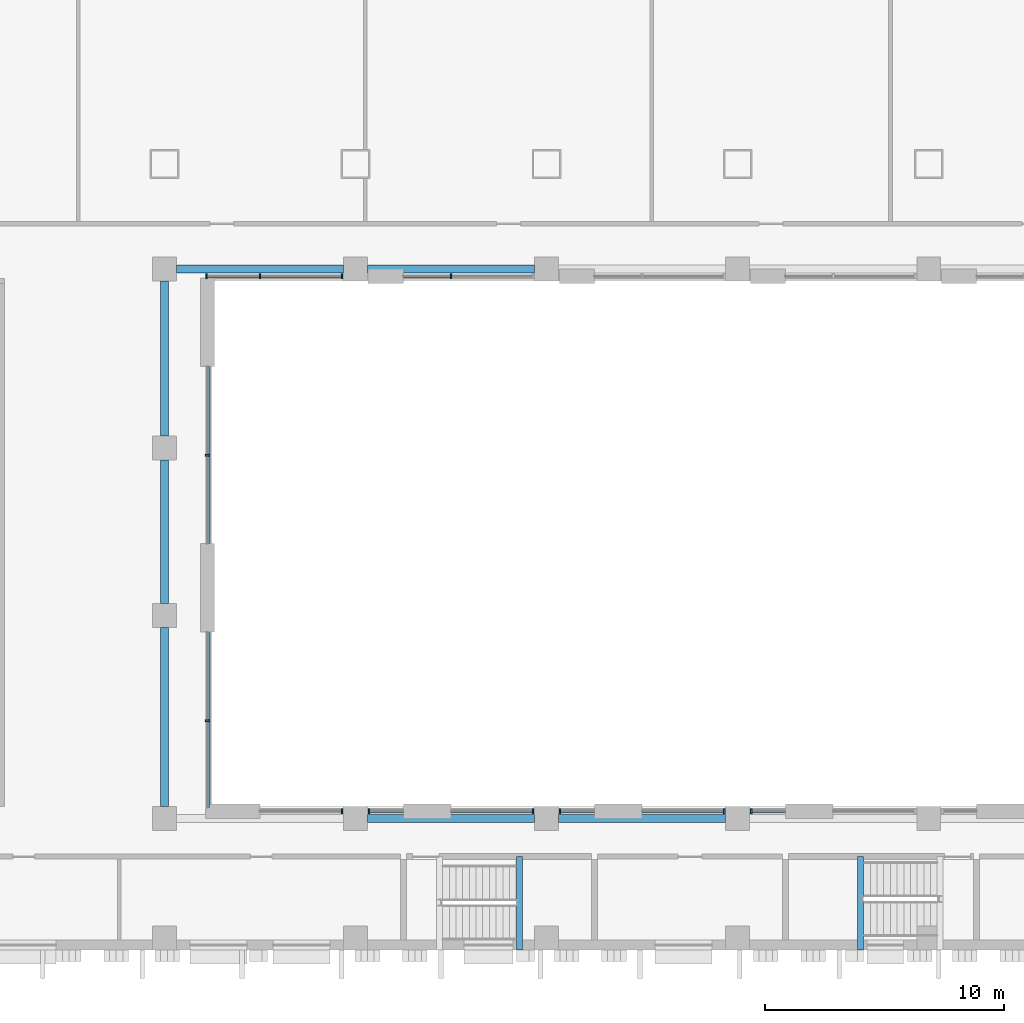
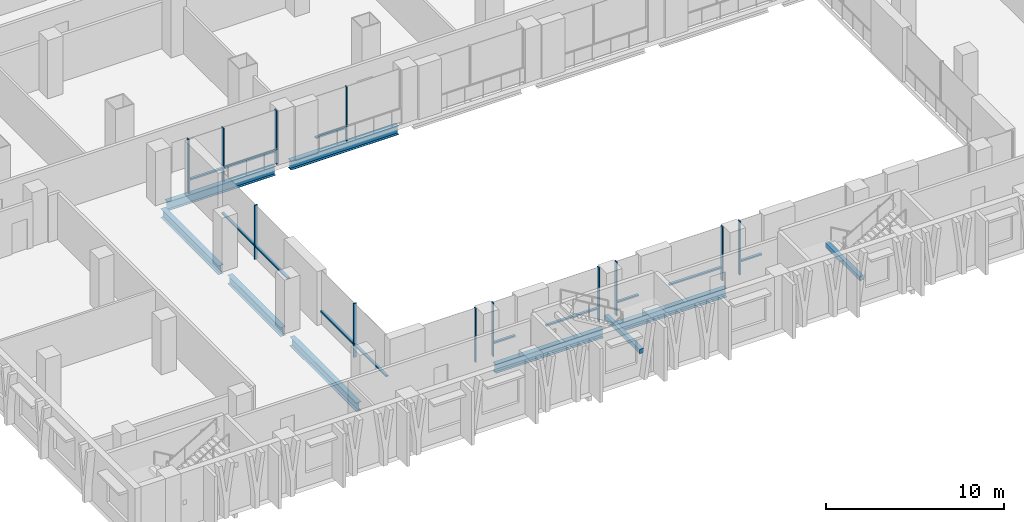
# One storey, part 2 of 24: 24 members, 9 beams, 10 elements without a shape of their own.
"""IFC4 building model written with IfcOpenShell, lengths in metres."""

from ifc_helpers import new_model, si_unit, direction, frame, origin, origin_2d, place, context, subcontext, project, spatial, rectangle, i_section, extrude, material, material_profile, profile_set, type_object, element, aggregate, save


model = new_model("IFC4")

# Units and contexts
model_context = context("Model", 3, precision=1e-05, world=origin(), true_north=direction((0.0, 1.0)))
body_context = subcontext(model_context, "Body", "Model", "MODEL_VIEW")
ifc_project = project(units=[si_unit("LENGTHUNIT", "METRE"), si_unit("AREAUNIT", "SQUARE_METRE"), si_unit("VOLUMEUNIT", "CUBIC_METRE"), si_unit("PLANEANGLEUNIT", "RADIAN"), si_unit("MASSUNIT", "GRAM", prefix="KILO")], contexts=[model_context])

# Site, building, storey
site_placement = place(None, origin())
site = spatial("IfcSite", under=ifc_project, at=site_placement, CompositionType="ELEMENT")
building_placement = place(site_placement, origin())
building = spatial("IfcBuilding", under=site, at=building_placement, Name="Vidyagriha Tower", CompositionType="ELEMENT")
storey_placement = place(building_placement, frame((0.0, 0.0, 22.0)))
storey = spatial("IfcBuildingStorey", under=building, at=storey_placement, Name="L05", CompositionType="ELEMENT", Elevation=22.0)

# Beams
ifc_material_1 = material(Name="Steel ASTM A992 Grade 50", Category="steel")
ifc_material_profile_1 = material_profile(ifc_material_1, i_section(OverallWidth=0.32373046875, OverallDepth=0.612060546875, WebThickness=0.0126953125, FlangeThickness=0.01904296875, at=origin_2d()), Name="W24X104")
ifc_profile_set_1 = profile_set([ifc_material_profile_1], Name="Steel ASTM A992 Grade 50")
beam_type_1 = type_object("IfcBeamType", Name="Atrium edge beam W24X104", PredefinedType="BEAM", material=ifc_profile_set_1)
for number, where, z_axis, x_axis, name in (
    (1, (-13.5, -44.5, -0.60595703125), (1.0, 0.0, 0.0), (0.0, 1.0, 0.0), "st-beam-L05-AT02"),
    (2, (-5.5, -44.5, -0.60595703125), (1.0, 0.0, 0.0), (0.0, 1.0, 0.0), "st-beam-L05-AT03"),
    (3, (-21.5, -21.5, -0.60595703125), (1.0, 0.0, 0.0), (0.0, 1.0, 0.0), "st-beam-L05-AT07"),
    (4, (-13.5, -21.5, -0.60595703125), (1.0, 0.0, 0.0), (0.0, 1.0, 0.0), "st-beam-L05-AT08"),
):
    element("IfcBeam", number, at=place(storey_placement, frame(where, z_axis=z_axis, x_axis=x_axis)), inside=storey, type_object=beam_type_1, Name=name, PredefinedType="BEAM", context=body_context, shape_type="SweptSolid", body=[
        extrude(i_section(OverallWidth=0.32373046875, OverallDepth=0.612060546875, WebThickness=0.0126953125, FlangeThickness=0.01904296875, at=origin_2d()), origin(), (0.0, 0.0, 1.0), 7.0),
    ])
beam_1_placement = place(storey_placement, frame((-22.0, -44.0, -0.60595703125), z_axis=(0.0, 1.0, 0.0), x_axis=(-1.0, 0.0, 0.0)))
element("IfcBeam", 5, at=beam_1_placement, inside=storey, type_object=beam_type_1, Name="st-beam-L05-AT13", PredefinedType="BEAM", context=body_context, shape_type="SweptSolid", body=[
    extrude(i_section(OverallWidth=0.32373046875, OverallDepth=0.612060546875, WebThickness=0.0126953125, FlangeThickness=0.01904296875, at=origin_2d()), origin(), (0.0, 0.0, 1.0), 7.5),
])
beam_2_placement = place(storey_placement, frame((-22.0, -35.5, -0.60595703125), z_axis=(0.0, 1.0, 0.0), x_axis=(-1.0, 0.0, 0.0)))
element("IfcBeam", 6, at=beam_2_placement, inside=storey, type_object=beam_type_1, Name="st-beam-L05-AT14", PredefinedType="BEAM", context=body_context, shape_type="SweptSolid", body=[
    extrude(i_section(OverallWidth=0.32373046875, OverallDepth=0.612060546875, WebThickness=0.0126953125, FlangeThickness=0.01904296875, at=origin_2d()), origin(), (0.0, 0.0, 1.0), 6.0),
])
beam_3_placement = place(storey_placement, frame((-22.0, -28.5, -0.60595703125), z_axis=(0.0, 1.0, 0.0), x_axis=(-1.0, 0.0, 0.0)))
element("IfcBeam", 7, at=beam_3_placement, inside=storey, type_object=beam_type_1, Name="st-beam-L05-AT15", PredefinedType="BEAM", context=body_context, shape_type="SweptSolid", body=[
    extrude(i_section(OverallWidth=0.32373046875, OverallDepth=0.612060546875, WebThickness=0.0126953125, FlangeThickness=0.01904296875, at=origin_2d()), origin(), (0.0, 0.0, 1.0), 6.5),
])

# Curtain wall, member
ifc_material_2 = material(Name="Aluminium and glass curtain wall", Category="aluminium")
curtain_wall_type = type_object("IfcCurtainWallType", Name="Atrium screen curtain wall", PredefinedType="USERDEFINED", material=ifc_material_2)
curtain_wall_1_placement = place(storey_placement, origin())
curtain_wall_1 = element("IfcCurtainWall", 8, at=curtain_wall_1_placement, inside=storey, type_object=curtain_wall_type, Name="CW6 atrium screen", ObjectType="UNITISED", PredefinedType="USERDEFINED")
ifc_material_3 = material(Name="Aluminium black anodised", Category="aluminium")
ifc_material_profile_2 = material_profile(ifc_material_3, rectangle(XDim=0.199951171875, YDim=0.070068359375, at=origin_2d()), Name="Mullion 70x200 black aluminium")
ifc_profile_set_2 = profile_set([ifc_material_profile_2], Name="Aluminium black anodised")
member_type_1 = type_object("IfcMemberType", Name="Mullion 70x200 black aluminium", PredefinedType="MULLION", material=ifc_profile_set_2)
member_1_placement = place(storey_placement, frame((2.56494140625, -44.199951171875, 0.0), z_axis=(0.0, 0.0, 1.0), x_axis=(0.0, -1.0, 0.0)))
member_1 = element("IfcMember", 9, at=member_1_placement, type_object=member_type_1, Name="CW6 mullion 2", PredefinedType="MULLION", context=body_context, shape_type="SweptSolid", body=[
    extrude(rectangle(XDim=0.199951171875, YDim=0.070068359375, at=origin_2d()), origin(), (0.0, 0.0, 1.0), 3.699951171875),
])

curtain_wall_2_placement = place(storey_placement, origin())
curtain_wall_2 = element("IfcCurtainWall", 10, at=curtain_wall_2_placement, inside=storey, type_object=curtain_wall_type, Name="CW6 atrium screen", ObjectType="UNITISED", PredefinedType="USERDEFINED")
member_2_placement = place(storey_placement, frame((1.43505859375, -44.199951171875, 0.0), z_axis=(0.0, 0.0, 1.0), x_axis=(0.0, -1.0, 0.0)))
member_2 = element("IfcMember", 11, at=member_2_placement, type_object=member_type_1, Name="CW6 mullion 1", PredefinedType="MULLION", context=body_context, shape_type="SweptSolid", body=[
    extrude(rectangle(XDim=0.199951171875, YDim=0.070068359375, at=origin_2d()), origin(), (0.0, 0.0, 1.0), 3.699951171875),
])

curtain_wall_3_placement = place(storey_placement, origin())
curtain_wall_3 = element("IfcCurtainWall", 12, at=curtain_wall_3_placement, inside=storey, type_object=curtain_wall_type, Name="CW6 atrium screen", ObjectType="UNITISED", PredefinedType="USERDEFINED")
member_3_placement = place(storey_placement, frame((-5.43505859375, -44.199951171875, 0.0), z_axis=(0.0, 0.0, 1.0), x_axis=(0.0, -1.0, 0.0)))
member_3 = element("IfcMember", 13, at=member_3_placement, type_object=member_type_1, Name="CW6 mullion 2", PredefinedType="MULLION", context=body_context, shape_type="SweptSolid", body=[
    extrude(rectangle(XDim=0.199951171875, YDim=0.070068359375, at=origin_2d()), origin(), (0.0, 0.0, 1.0), 3.699951171875),
])

curtain_wall_4_placement = place(storey_placement, origin())
curtain_wall_4 = element("IfcCurtainWall", 14, at=curtain_wall_4_placement, inside=storey, type_object=curtain_wall_type, Name="CW6 atrium screen", ObjectType="UNITISED", PredefinedType="USERDEFINED")
member_4_placement = place(storey_placement, frame((-6.56494140625, -44.199951171875, 0.0), z_axis=(0.0, 0.0, 1.0), x_axis=(0.0, -1.0, 0.0)))
member_4 = element("IfcMember", 15, at=member_4_placement, type_object=member_type_1, Name="CW6 mullion 1", PredefinedType="MULLION", context=body_context, shape_type="SweptSolid", body=[
    extrude(rectangle(XDim=0.199951171875, YDim=0.070068359375, at=origin_2d()), origin(), (0.0, 0.0, 1.0), 3.699951171875),
])

curtain_wall_5_placement = place(storey_placement, origin())
curtain_wall_5 = element("IfcCurtainWall", 16, at=curtain_wall_5_placement, inside=storey, type_object=curtain_wall_type, Name="CW6 atrium screen", ObjectType="UNITISED", PredefinedType="USERDEFINED")
member_5_placement = place(storey_placement, frame((-13.43505859375, -44.199951171875, 0.0), z_axis=(0.0, 0.0, 1.0), x_axis=(0.0, -1.0, 0.0)))
member_5 = element("IfcMember", 17, at=member_5_placement, type_object=member_type_1, Name="CW6 mullion 2", PredefinedType="MULLION", context=body_context, shape_type="SweptSolid", body=[
    extrude(rectangle(XDim=0.199951171875, YDim=0.070068359375, at=origin_2d()), origin(), (0.0, 0.0, 1.0), 3.699951171875),
])

curtain_wall_6_placement = place(storey_placement, origin())
curtain_wall_6 = element("IfcCurtainWall", 18, at=curtain_wall_6_placement, inside=storey, type_object=curtain_wall_type, Name="CW6 atrium screen", ObjectType="UNITISED", PredefinedType="USERDEFINED")
member_6_placement = place(storey_placement, frame((-14.56494140625, -44.199951171875, 0.0), z_axis=(0.0, 0.0, 1.0), x_axis=(0.0, -1.0, 0.0)))
member_6 = element("IfcMember", 19, at=member_6_placement, type_object=member_type_1, Name="CW6 mullion 1", PredefinedType="MULLION", context=body_context, shape_type="SweptSolid", body=[
    extrude(rectangle(XDim=0.199951171875, YDim=0.070068359375, at=origin_2d()), origin(), (0.0, 0.0, 1.0), 3.699951171875),
])
aggregate(curtain_wall_6, [member_6])

curtain_wall_7_placement = place(storey_placement, origin())
curtain_wall_7 = element("IfcCurtainWall", 20, at=curtain_wall_7_placement, inside=storey, type_object=curtain_wall_type, Name="CW6 atrium screen", ObjectType="UNITISED", PredefinedType="USERDEFINED")
member_7_placement = place(storey_placement, frame((-20.199951171875, -40.413330078125, 0.0), z_axis=(0.0, 0.0, 1.0), x_axis=(-1.0, 0.0, 0.0)))
member_7 = element("IfcMember", 21, at=member_7_placement, type_object=member_type_1, Name="CW6 mullion 2", PredefinedType="MULLION", context=body_context, shape_type="SweptSolid", body=[
    extrude(rectangle(XDim=0.199951171875, YDim=0.070068359375, at=origin_2d()), origin(), (0.0, 0.0, 1.0), 3.699951171875),
])

curtain_wall_8_placement = place(storey_placement, origin())
curtain_wall_8 = element("IfcCurtainWall", 22, at=curtain_wall_8_placement, inside=storey, type_object=curtain_wall_type, Name="CW6 atrium screen", ObjectType="UNITISED", PredefinedType="USERDEFINED")
member_8_placement = place(storey_placement, frame((-20.199951171875, -29.293212890625, 0.0), z_axis=(0.0, 0.0, 1.0), x_axis=(-1.0, 0.0, 0.0)))
member_8 = element("IfcMember", 23, at=member_8_placement, type_object=member_type_1, Name="CW6 mullion 2", PredefinedType="MULLION", context=body_context, shape_type="SweptSolid", body=[
    extrude(rectangle(XDim=0.199951171875, YDim=0.070068359375, at=origin_2d()), origin(), (0.0, 0.0, 1.0), 3.699951171875),
])

# Curtain wall, members
curtain_wall_9_placement = place(storey_placement, origin())
curtain_wall_9 = element("IfcCurtainWall", 24, at=curtain_wall_9_placement, inside=storey, type_object=curtain_wall_type, Name="CW6 atrium screen", ObjectType="UNITISED", PredefinedType="USERDEFINED")
member_9_placement = place(storey_placement, frame((-20.2451171875, -21.800048828125, 0.0), z_axis=(0.0, 0.0, 1.0), x_axis=(0.0, 1.0, 0.0)))
member_9 = element("IfcMember", 25, at=member_9_placement, type_object=member_type_1, Name="CW6 mullion 1", PredefinedType="MULLION", context=body_context, shape_type="SweptSolid", body=[
    extrude(rectangle(XDim=0.199951171875, YDim=0.070068359375, at=origin_2d()), origin(), (0.0, 0.0, 1.0), 3.699951171875),
])
member_10_placement = place(storey_placement, frame((-18.0, -21.800048828125, 0.0), z_axis=(0.0, 0.0, 1.0), x_axis=(0.0, 1.0, 0.0)))
member_10 = element("IfcMember", 26, at=member_10_placement, type_object=member_type_1, Name="CW6 mullion 2", PredefinedType="MULLION", context=body_context, shape_type="SweptSolid", body=[
    extrude(rectangle(XDim=0.199951171875, YDim=0.070068359375, at=origin_2d()), origin(), (0.0, 0.0, 1.0), 3.699951171875),
])
member_11_placement = place(storey_placement, frame((-14.56494140625, -21.800048828125, 0.0), z_axis=(0.0, 0.0, 1.0), x_axis=(0.0, 1.0, 0.0)))
member_11 = element("IfcMember", 27, at=member_11_placement, type_object=member_type_1, Name="CW6 mullion 3", PredefinedType="MULLION", context=body_context, shape_type="SweptSolid", body=[
    extrude(rectangle(XDim=0.199951171875, YDim=0.070068359375, at=origin_2d()), origin(), (0.0, 0.0, 1.0), 3.699951171875),
])

# Curtain wall, member
curtain_wall_10_placement = place(storey_placement, origin())
curtain_wall_10 = element("IfcCurtainWall", 28, at=curtain_wall_10_placement, inside=storey, type_object=curtain_wall_type, Name="CW6 atrium screen", ObjectType="UNITISED", PredefinedType="USERDEFINED")
member_12_placement = place(storey_placement, frame((-10.0, -21.800048828125, 0.0), z_axis=(0.0, 0.0, 1.0), x_axis=(0.0, 1.0, 0.0)))
member_12 = element("IfcMember", 29, at=member_12_placement, type_object=member_type_1, Name="CW6 mullion 2", PredefinedType="MULLION", context=body_context, shape_type="SweptSolid", body=[
    extrude(rectangle(XDim=0.199951171875, YDim=0.070068359375, at=origin_2d()), origin(), (0.0, 0.0, 1.0), 3.699951171875),
])

# Beams
ifc_material_4 = material(Name="Concrete C40/50", Category="concrete")
ifc_material_profile_3 = material_profile(ifc_material_4, rectangle(XDim=0.25, YDim=0.300048828125, at=origin_2d()), Name="Stair landing bearing beam 250x300")
ifc_profile_set_3 = profile_set([ifc_material_profile_3], Name="Concrete C40/50")
beam_type_2 = type_object("IfcBeamType", Name="Stair landing bearing beam 250x300", PredefinedType="BEAM", material=ifc_profile_set_3)
for number, where, z_axis, x_axis, name in (
    (30, (-7.139892578125, -50.0, 1.64990234375), (0.0, 1.0, 0.0), (-1.0, 0.0, 0.0), "PS3 landing bearing beam L05"),
    (31, (7.139892578125, -50.0, 1.64990234375), (0.0, 1.0, 0.0), (-1.0, 0.0, 0.0), "PS4 landing bearing beam L05"),
):
    element("IfcBeam", number, at=place(storey_placement, frame(where, z_axis=z_axis, x_axis=x_axis)), inside=storey, type_object=beam_type_2, Name=name, PredefinedType="BEAM", context=body_context, shape_type="SweptSolid", body=[
        extrude(rectangle(XDim=0.25, YDim=0.300048828125, at=origin_2d()), origin(), (0.0, 0.0, 1.0), 3.89990234375),
    ])

# Member
ifc_material_5 = material(Name="Aluminium black anodised", Category="aluminium")
ifc_material_profile_4 = material_profile(ifc_material_5, rectangle(XDim=0.159912109375, YDim=0.10009765625, at=origin_2d()), Name="Transom 100x160 black aluminium")
ifc_profile_set_4 = profile_set([ifc_material_profile_4], Name="Aluminium black anodised")
member_type_2 = type_object("IfcMemberType", Name="Transom 100x160 black aluminium", PredefinedType="USERDEFINED", material=ifc_profile_set_4)
member_13_placement = place(storey_placement, frame((4.0, -44.199951171875, 0.89990234375), z_axis=(-1.0, 0.0, 0.0), x_axis=(0.0, -1.0, 0.0)))
member_13 = element("IfcMember", 32, at=member_13_placement, type_object=member_type_2, Name="CW6 transom 1.1", ObjectType="TRANSOM", PredefinedType="USERDEFINED", context=body_context, shape_type="SweptSolid", body=[
    extrude(rectangle(XDim=0.159912109375, YDim=0.10009765625, at=origin_2d()), origin(), (0.0, 0.0, 1.0), 1.39990234375),
])

aggregate(curtain_wall_1, [member_1, member_13])

member_14_placement = place(storey_placement, frame((1.39990234375, -44.199951171875, 0.89990234375), z_axis=(-1.0, 0.0, 0.0), x_axis=(0.0, -1.0, 0.0)))
member_14 = element("IfcMember", 33, at=member_14_placement, type_object=member_type_2, Name="CW6 transom 1.1", ObjectType="TRANSOM", PredefinedType="USERDEFINED", context=body_context, shape_type="SweptSolid", body=[
    extrude(rectangle(XDim=0.159912109375, YDim=0.10009765625, at=origin_2d()), origin(), (0.0, 0.0, 1.0), 3.39990234375),
])

aggregate(curtain_wall_2, [member_2, member_14])

member_15_placement = place(storey_placement, frame((-4.0, -44.199951171875, 0.89990234375), z_axis=(-1.0, 0.0, 0.0), x_axis=(0.0, -1.0, 0.0)))
member_15 = element("IfcMember", 34, at=member_15_placement, type_object=member_type_2, Name="CW6 transom 1.1", ObjectType="TRANSOM", PredefinedType="USERDEFINED", context=body_context, shape_type="SweptSolid", body=[
    extrude(rectangle(XDim=0.159912109375, YDim=0.10009765625, at=origin_2d()), origin(), (0.0, 0.0, 1.0), 1.39990234375),
])

aggregate(curtain_wall_3, [member_3, member_15])

member_16_placement = place(storey_placement, frame((-6.60009765625, -44.199951171875, 0.89990234375), z_axis=(-1.0, 0.0, 0.0), x_axis=(0.0, -1.0, 0.0)))
member_16 = element("IfcMember", 35, at=member_16_placement, type_object=member_type_2, Name="CW6 transom 1.1", ObjectType="TRANSOM", PredefinedType="USERDEFINED", context=body_context, shape_type="SweptSolid", body=[
    extrude(rectangle(XDim=0.159912109375, YDim=0.10009765625, at=origin_2d()), origin(), (0.0, 0.0, 1.0), 3.39990234375),
])

aggregate(curtain_wall_4, [member_4, member_16])

member_17_placement = place(storey_placement, frame((-12.0, -44.199951171875, 0.89990234375), z_axis=(-1.0, 0.0, 0.0), x_axis=(0.0, -1.0, 0.0)))
member_17 = element("IfcMember", 36, at=member_17_placement, type_object=member_type_2, Name="CW6 transom 1.1", ObjectType="TRANSOM", PredefinedType="USERDEFINED", context=body_context, shape_type="SweptSolid", body=[
    extrude(rectangle(XDim=0.159912109375, YDim=0.10009765625, at=origin_2d()), origin(), (0.0, 0.0, 1.0), 1.39990234375),
])

aggregate(curtain_wall_5, [member_5, member_17])

member_18_placement = place(storey_placement, frame((-20.199951171875, -44.050048828125, 0.89990234375), z_axis=(0.0, 1.0, 0.0), x_axis=(-1.0, 0.0, 0.0)))
member_18 = element("IfcMember", 37, at=member_18_placement, type_object=member_type_2, Name="CW6 transom 1.1", ObjectType="TRANSOM", PredefinedType="USERDEFINED", context=body_context, shape_type="SweptSolid", body=[
    extrude(rectangle(XDim=0.159912109375, YDim=0.10009765625, at=origin_2d()), origin(), (0.0, 0.0, 1.0), 3.601806640625),
])

member_19_placement = place(storey_placement, frame((-20.199951171875, -40.37841796875, 0.89990234375), z_axis=(0.0, 1.0, 0.0), x_axis=(-1.0, 0.0, 0.0)))
member_19 = element("IfcMember", 38, at=member_19_placement, type_object=member_type_2, Name="CW6 transom 2.1", ObjectType="TRANSOM", PredefinedType="USERDEFINED", context=body_context, shape_type="SweptSolid", body=[
    extrude(rectangle(XDim=0.159912109375, YDim=0.10009765625, at=origin_2d()), origin(), (0.0, 0.0, 1.0), 3.671630859375),
])

aggregate(curtain_wall_7, [member_7, member_18, member_19])

member_20_placement = place(storey_placement, frame((-20.199951171875, -33.0, 0.89990234375), z_axis=(0.0, 1.0, 0.0), x_axis=(-1.0, 0.0, 0.0)))
member_20 = element("IfcMember", 39, at=member_20_placement, type_object=member_type_2, Name="CW6 transom 1.1", ObjectType="TRANSOM", PredefinedType="USERDEFINED", context=body_context, shape_type="SweptSolid", body=[
    extrude(rectangle(XDim=0.159912109375, YDim=0.10009765625, at=origin_2d()), origin(), (0.0, 0.0, 1.0), 3.671630859375),
])

member_21_placement = place(storey_placement, frame((-20.199951171875, -29.25830078125, 0.89990234375), z_axis=(0.0, 1.0, 0.0), x_axis=(-1.0, 0.0, 0.0)))
member_21 = element("IfcMember", 40, at=member_21_placement, type_object=member_type_2, Name="CW6 transom 2.1", ObjectType="TRANSOM", PredefinedType="USERDEFINED", context=body_context, shape_type="SweptSolid", body=[
    extrude(rectangle(XDim=0.159912109375, YDim=0.10009765625, at=origin_2d()), origin(), (0.0, 0.0, 1.0), 3.671630859375),
])

aggregate(curtain_wall_8, [member_8, member_20, member_21])

member_22_placement = place(storey_placement, frame((-20.2099609375, -21.800048828125, 0.89990234375), z_axis=(1.0, 0.0, 0.0), x_axis=(0.0, 1.0, 0.0)))
member_22 = element("IfcMember", 41, at=member_22_placement, type_object=member_type_2, Name="CW6 transom 1.1", ObjectType="TRANSOM", PredefinedType="USERDEFINED", context=body_context, shape_type="SweptSolid", body=[
    extrude(rectangle(XDim=0.159912109375, YDim=0.10009765625, at=origin_2d()), origin(), (0.0, 0.0, 1.0), 2.175048828125),
])

member_23_placement = place(storey_placement, frame((-17.965087890625, -21.800048828125, 0.89990234375), z_axis=(1.0, 0.0, 0.0), x_axis=(0.0, 1.0, 0.0)))
member_23 = element("IfcMember", 42, at=member_23_placement, type_object=member_type_2, Name="CW6 transom 2.1", ObjectType="TRANSOM", PredefinedType="USERDEFINED", context=body_context, shape_type="SweptSolid", body=[
    extrude(rectangle(XDim=0.159912109375, YDim=0.10009765625, at=origin_2d()), origin(), (0.0, 0.0, 1.0), 3.364990234375),
])

aggregate(curtain_wall_9, [member_9, member_10, member_11, member_22, member_23])

member_24_placement = place(storey_placement, frame((-12.0, -21.800048828125, 0.89990234375), z_axis=(1.0, 0.0, 0.0), x_axis=(0.0, 1.0, 0.0)))
member_24 = element("IfcMember", 43, at=member_24_placement, type_object=member_type_2, Name="CW6 transom 1.1", ObjectType="TRANSOM", PredefinedType="USERDEFINED", context=body_context, shape_type="SweptSolid", body=[
    extrude(rectangle(XDim=0.159912109375, YDim=0.10009765625, at=origin_2d()), origin(), (0.0, 0.0, 1.0), 1.965087890625),
])

aggregate(curtain_wall_10, [member_12, member_24])

save(model, "model.ifc")
